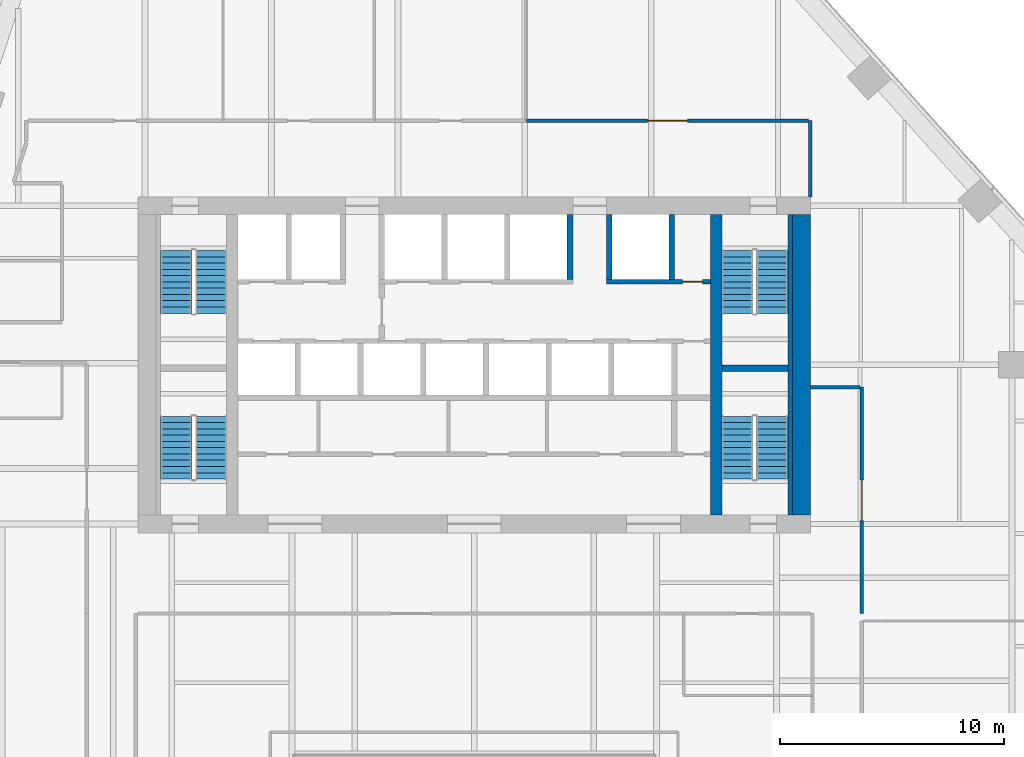
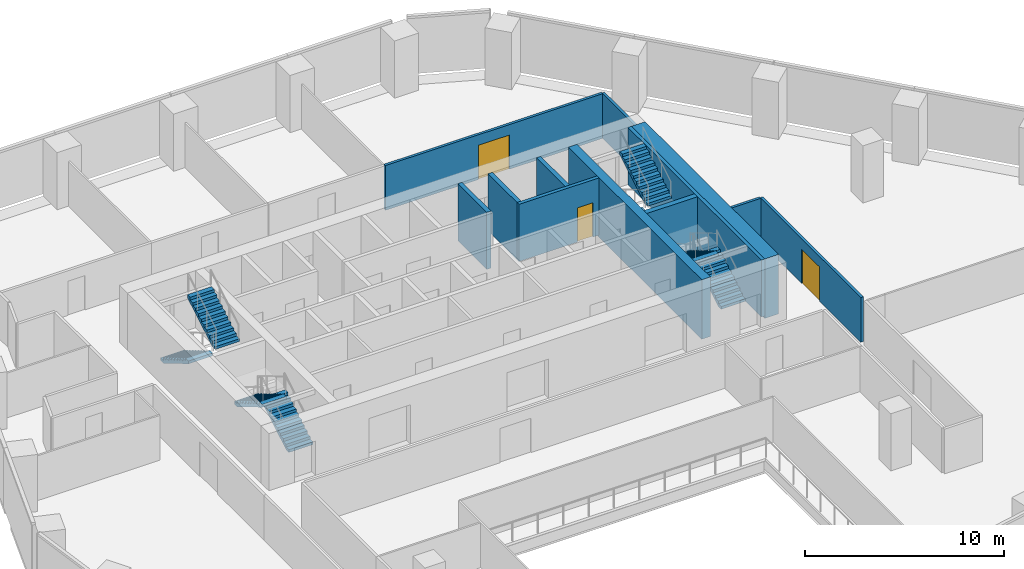
# One storey, part 13 of 16: 12 walls, 8 stair flights, 3 doors, 3 openings, 4 elements without a shape of their own.
"""IFC4 building model written with IfcOpenShell, lengths in metres."""

from ifc_helpers import new_model, si_unit, direction, frame, frame_2d, origin, place, context, subcontext, project, spatial, polyline, rectangle, outline, extrude, material, layer, layer_set, type_object, element, fill, aggregate, save


model = new_model("IFC4")

# Units and contexts
model_context = context("Model", 3, precision=1e-05, world=origin(), true_north=direction((0.0, 1.0)))
body_context = subcontext(model_context, "Body", "Model", "MODEL_VIEW")
ifc_project = project(units=[si_unit("LENGTHUNIT", "METRE"), si_unit("AREAUNIT", "SQUARE_METRE"), si_unit("VOLUMEUNIT", "CUBIC_METRE"), si_unit("PLANEANGLEUNIT", "RADIAN"), si_unit("MASSUNIT", "GRAM", prefix="KILO")], contexts=[model_context])

# Site, building, storey
site_placement = place(None, origin())
site = spatial("IfcSite", under=ifc_project, at=site_placement, CompositionType="ELEMENT")
building_placement = place(site_placement, origin())
building = spatial("IfcBuilding", under=site, at=building_placement, Name="Isthmus Gate Tower", CompositionType="ELEMENT")
storey_placement = place(building_placement, frame((0.0, 0.0, 155.35009765625)))
storey = spatial("IfcBuildingStorey", under=building, at=storey_placement, Name="L38", CompositionType="ELEMENT", Elevation=155.35009765625)

# Wall
ifc_material_1 = material(Name="Gypsum board on steel studs, fire-rated", Category="steel")
ifc_layer_1 = layer(ifc_material_1, 0.14990234375)
ifc_layer_set_1 = layer_set([ifc_layer_1], Name="CORRIDOR WALL 150 60 MIN")
wall_type_1 = type_object("IfcWallType", Name="CORRIDOR WALL 150 60 MIN", PredefinedType="PARTITIONING", material=ifc_layer_set_1)
wall_1_placement = place(storey_placement, frame((15.0, 18.39990234375, 0.0), z_axis=(0.0, 0.0, 1.0), x_axis=(0.0, -1.0, 0.0)))
element("IfcWall", 1, at=wall_1_placement, inside=storey, type_object=wall_type_1, Name="L38 Corridor Wall 150 60 Min", PredefinedType="PARTITIONING", context=body_context, shape_type="SweptSolid", body=[
    extrude(rectangle(XDim=3.39990234375, YDim=0.14990234375, at=frame_2d((1.699951171875, 0.0))), origin(), (0.0, 0.0, 1.0), 2.7412109375),
])

# Wall, opening, door
wall_2_placement = place(storey_placement, frame((17.298095703125, 6.5, 0.0), z_axis=(0.0, 0.0, 1.0), x_axis=(0.0, -1.0, 0.0)))
wall_2 = element("IfcWall", 2, at=wall_2_placement, inside=storey, type_object=wall_type_1, Name="L38 Corridor Wall 150 60 Min", PredefinedType="PARTITIONING", context=body_context, shape_type="SweptSolid", body=[
    extrude(rectangle(XDim=10.10205078125, YDim=0.14990234375, at=frame_2d((5.051025390625, 0.0))), origin(), (0.0, 0.0, 1.0), 2.7412109375),
])
opening_1_placement = place(wall_2_placement, frame((4.15087890625, 0.0, 0.0)))
opening_1 = element("IfcOpeningElement", 3, at=opening_1_placement, cuts=wall_2, Name="Opening DT-T3C-05", PredefinedType="OPENING", context=body_context, shape_type="SweptSolid", body=[
    extrude(rectangle(XDim=1.800048828125, YDim=2.10009765625, at=frame_2d((0.89990234375, 1.050048828125))), frame((0.0, 0.0849609375, 0.0), z_axis=(0.0, -1.0, 0.0), x_axis=(1.0, 0.0, 0.0)), (0.0, 0.0, 1.0), 0.169921875),
])
ifc_material_2 = material(Name="Solid core timber door leaf, fire-rated", Category="wood")
door_type_1 = type_object("IfcDoorType", Name="FIRE DOOR ROOM 1800 X 2100 60 MIN", OperationType="DOUBLE_DOOR_DOUBLE_SWING", PredefinedType="DOOR", material=ifc_material_2)
door_1_placement = place(opening_1_placement, origin())
door_1 = element("IfcDoor", 4, at=door_1_placement, inside=storey, type_object=door_type_1, Name="L38 room door", OperationType="DOUBLE_DOOR_DOUBLE_SWING", OverallHeight=2.10009765625, OverallWidth=1.800048828125, PredefinedType="DOOR", context=body_context, shape_type="SweptSolid", body=[
    extrude(rectangle(XDim=1.800048828125, YDim=2.10009765625, at=frame_2d((0.89990234375, 1.050048828125))), frame((0.0, 0.02490234375, 0.0), z_axis=(0.0, -1.0, 0.0), x_axis=(1.0, 0.0, 0.0)), (0.0, 0.0, 1.0), 0.050048828125),
])
fill(opening_1, door_1)

wall_3_placement = place(storey_placement, frame((2.337890625, 18.39990234375, 0.0), z_axis=(0.0, 0.0, 1.0), x_axis=(1.0, 0.0, 0.0)))
wall_3 = element("IfcWall", 5, at=wall_3_placement, inside=storey, type_object=wall_type_1, Name="L38 Corridor Wall 150 60 Min", PredefinedType="PARTITIONING", context=body_context, shape_type="SweptSolid", body=[
    extrude(rectangle(XDim=12.587158203125, YDim=0.14990234375, at=frame_2d((6.29345703125, 0.0))), origin(), (0.0, 0.0, 1.0), 2.7412109375),
])
opening_2_placement = place(wall_3_placement, frame((5.3935546875, 0.0, 0.0)))
opening_2 = element("IfcOpeningElement", 6, at=opening_2_placement, cuts=wall_3, Name="Opening DT-T3C-04", PredefinedType="OPENING", context=body_context, shape_type="SweptSolid", body=[
    extrude(rectangle(XDim=1.800048828125, YDim=2.10009765625, at=frame_2d((0.89990234375, 1.050048828125))), frame((0.0, 0.0849609375, 0.0), z_axis=(0.0, -1.0, 0.0), x_axis=(1.0, 0.0, 0.0)), (0.0, 0.0, 1.0), 0.169921875),
])
door_2_placement = place(opening_2_placement, origin())
door_2 = element("IfcDoor", 7, at=door_2_placement, inside=storey, type_object=door_type_1, Name="L38 room door", OperationType="DOUBLE_DOOR_DOUBLE_SWING", OverallHeight=2.10009765625, OverallWidth=1.800048828125, PredefinedType="DOOR", context=body_context, shape_type="SweptSolid", body=[
    extrude(rectangle(XDim=1.800048828125, YDim=2.10009765625, at=frame_2d((0.89990234375, 1.050048828125))), frame((0.0, 0.02490234375, 0.0), z_axis=(0.0, -1.0, 0.0), x_axis=(1.0, 0.0, 0.0)), (0.0, 0.0, 1.0), 0.050048828125),
])
fill(opening_2, door_2)

# Walls
wall_4_placement = place(storey_placement, frame((15.0, 6.5, 0.0), z_axis=(0.0, 0.0, 1.0), x_axis=(1.0, 0.0, 0.0)))
element("IfcWall", 8, at=wall_4_placement, inside=storey, type_object=wall_type_1, Name="L38 Corridor Wall 150 60 Min", PredefinedType="PARTITIONING", context=body_context, shape_type="SweptSolid", body=[
    extrude(rectangle(XDim=2.222900390625, YDim=0.14990234375, at=frame_2d((1.111328125, 0.0))), origin(), (0.0, 0.0, 1.0), 2.7412109375),
])
ifc_material_3 = material(Name="Concrete f'c 60 MPa", Category="concrete")
ifc_layer_2 = layer(ifc_material_3, 0.5)
ifc_layer_set_2 = layer_set([ifc_layer_2], Name="RC CORE SPINE WALL 500 F'C 60")
wall_type_2 = type_object("IfcWallType", Name="RC CORE SPINE WALL 500 F'C 60", PredefinedType="SOLIDWALL", material=ifc_layer_set_2)
wall_5_placement = place(storey_placement, frame((10.800048828125, 0.800048828125, -0.150146484375), z_axis=(0.0, 0.0, 1.0), x_axis=(0.0, 1.0, 0.0)))
element("IfcWall", 9, at=wall_5_placement, inside=storey, type_object=wall_type_2, Name="str-corewall-L38-SPE", PredefinedType="SOLIDWALL", context=body_context, shape_type="SweptSolid", body=[
    extrude(rectangle(XDim=13.39990234375, YDim=0.5, at=frame_2d((6.699951171875, 0.0))), origin(), (0.0, 0.0, 1.0), 3.650146484375),
])
ifc_material_4 = material(Name="Concrete f'c 60 MPa", Category="concrete")
ifc_layer_3 = layer(ifc_material_4, 0.800048828125)
ifc_layer_set_3 = layer_set([ifc_layer_3], Name="RC CORE WALL 800 F'C 60")
wall_type_3 = type_object("IfcWallType", Name="RC CORE WALL 800 F'C 60", PredefinedType="SOLIDWALL", material=ifc_layer_set_3)
wall_6_placement = place(storey_placement, frame((14.60009765625, 0.800048828125, -0.150146484375), z_axis=(0.0, 0.0, 1.0), x_axis=(0.0, 1.0, 0.0)))
element("IfcWall", 10, at=wall_6_placement, inside=storey, type_object=wall_type_3, Name="str-corewall-L38-E", PredefinedType="SOLIDWALL", context=body_context, shape_type="SweptSolid", body=[
    extrude(rectangle(XDim=13.39990234375, YDim=0.800048828125, at=frame_2d((6.699951171875, 0.0))), origin(), (0.0, 0.0, 1.0), 3.650146484375),
])

# Wall, opening, door
ifc_material_5 = material(Name="Fire-rated blockwork masonry, 15 MPa", Category="masonry")
ifc_layer_4 = layer(ifc_material_5, 0.199951171875)
ifc_layer_set_4 = layer_set([ifc_layer_4], Name="SHAFT FRONT WALL 200 120 MIN")
wall_type_4 = type_object("IfcWallType", Name="SHAFT FRONT WALL 200 120 MIN", PredefinedType="PARTITIONING", material=ifc_layer_set_4)
wall_7_placement = place(storey_placement, frame((5.89990234375, 11.199951171875, 0.0), z_axis=(0.0, 0.0, 1.0), x_axis=(1.0, 0.0, 0.0)))
wall_7 = element("IfcWall", 11, at=wall_7_placement, inside=storey, type_object=wall_type_4, Name="L38 SHAFT FRONT WALL 200 120 MIN", PredefinedType="PARTITIONING", context=body_context, shape_type="SweptSolid", body=[
    extrude(rectangle(XDim=4.650146484375, YDim=0.199951171875, at=frame_2d((2.3251953125, 0.0))), origin(), (0.0, 0.0, 1.0), 3.5),
])
opening_3_placement = place(wall_7_placement, frame((3.39990234375, 0.0, 0.0)))
opening_3 = element("IfcOpeningElement", 12, at=opening_3_placement, cuts=wall_7, Name="Opening DC-A13-08", PredefinedType="OPENING", context=body_context, shape_type="SweptSolid", body=[
    extrude(rectangle(XDim=0.89990234375, YDim=2.10009765625, at=frame_2d((0.449951171875, 1.050048828125))), frame((0.0, 0.10986328125, 0.0), z_axis=(0.0, -1.0, 0.0), x_axis=(1.0, 0.0, 0.0)), (0.0, 0.0, 1.0), 0.219970703125),
])
ifc_material_6 = material(Name="Steel door leaf, fire-rated", Category="steel")
door_type_2 = type_object("IfcDoorType", Name="RISER FIRE DOOR 900 X 2100 90 MIN", OperationType="SINGLE_SWING_LEFT", PredefinedType="DOOR", material=ifc_material_6)
door_3_placement = place(opening_3_placement, origin())
door_3 = element("IfcDoor", 13, at=door_3_placement, inside=storey, type_object=door_type_2, Name="Riser Door", OperationType="SINGLE_SWING_LEFT", OverallHeight=2.10009765625, OverallWidth=0.89990234375, PredefinedType="DOOR", context=body_context, shape_type="SweptSolid", body=[
    extrude(rectangle(XDim=0.89990234375, YDim=2.10009765625, at=frame_2d((0.449951171875, 1.050048828125))), frame((0.0, 0.02490234375, 0.0), z_axis=(0.0, -1.0, 0.0), x_axis=(1.0, 0.0, 0.0)), (0.0, 0.0, 1.0), 0.050048828125),
])
fill(opening_3, door_3)

# Walls
ifc_material_7 = material(Name="Fire-rated blockwork masonry, 15 MPa", Category="masonry")
ifc_layer_5 = layer(ifc_material_7, 0.25)
ifc_layer_set_5 = layer_set([ifc_layer_5], Name="SHAFT WALL 250 120 MIN")
wall_type_5 = type_object("IfcWallType", Name="SHAFT WALL 250 120 MIN", PredefinedType="PARTITIONING", material=ifc_layer_set_5)
for number, where, z_axis, x_axis, name in (
    (14, (4.27490234375, 11.300048828125, 0.0), (0.0, 0.0, 1.0), (0.0, 1.0, 0.0), "L38 SHAFT WALL 250 120 MIN"),
    (15, (6.02490234375, 11.300048828125, 0.0), (0.0, 0.0, 1.0), (0.0, 1.0, 0.0), "L38 SHAFT WALL 250 120 MIN"),
    (16, (8.824951171875, 11.300048828125, 0.0), (0.0, 0.0, 1.0), (0.0, 1.0, 0.0), "L38 SHAFT WALL 250 120 MIN"),
):
    element("IfcWall", number, at=place(storey_placement, frame(where, z_axis=z_axis, x_axis=x_axis)), inside=storey, type_object=wall_type_5, Name=name, PredefinedType="PARTITIONING", context=body_context, shape_type="SweptSolid", body=[
        extrude(rectangle(XDim=2.89990234375, YDim=0.25, at=frame_2d((1.449951171875, 0.0))), origin(), (0.0, 0.0, 1.0), 3.5),
    ])
ifc_material_8 = material(Name="Concrete f'c 40 MPa", Category="concrete")
ifc_layer_6 = layer(ifc_material_8, 0.199951171875)
ifc_layer_set_6 = layer_set([ifc_layer_6], Name="STAIR ENCLOSURE WALL 200 180 MIN")
wall_type_6 = type_object("IfcWallType", Name="STAIR ENCLOSURE WALL 200 180 MIN", PredefinedType="SOLIDWALL", material=ifc_layer_set_6)
wall_8_placement = place(storey_placement, frame((14.10009765625, 0.800048828125, 0.0), z_axis=(0.0, 0.0, 1.0), x_axis=(0.0, 1.0, 0.0)))
element("IfcWall", 17, at=wall_8_placement, inside=storey, type_object=wall_type_6, Name="L38 STAIR ENCLOSURE WALL 200 180 MIN", PredefinedType="SOLIDWALL", context=body_context, shape_type="SweptSolid", body=[
    extrude(rectangle(XDim=13.39990234375, YDim=0.199951171875, at=frame_2d((6.699951171875, 0.0))), origin(), (0.0, 0.0, 1.0), 3.5),
])
ifc_material_9 = material(Name="Concrete f'c 40 MPa", Category="concrete")
ifc_layer_7 = layer(ifc_material_9, 0.300048828125)
ifc_layer_set_7 = layer_set([ifc_layer_7], Name="STAIR ENCLOSURE WALL 300 180 MIN")
wall_type_7 = type_object("IfcWallType", Name="STAIR ENCLOSURE WALL 300 180 MIN", PredefinedType="SOLIDWALL", material=ifc_layer_set_7)
wall_9_placement = place(storey_placement, frame((11.050048828125, 7.35009765625, 0.0), z_axis=(0.0, 0.0, 1.0), x_axis=(1.0, 0.0, 0.0)))
element("IfcWall", 18, at=wall_9_placement, inside=storey, type_object=wall_type_7, Name="L38 STAIR ENCLOSURE WALL 300 180 MIN", PredefinedType="SOLIDWALL", context=body_context, shape_type="SweptSolid", body=[
    extrude(rectangle(XDim=2.949951171875, YDim=0.300048828125, at=frame_2d((1.47509765625, 0.0))), origin(), (0.0, 0.0, 1.0), 3.5),
])

# Stair, stair flights
ifc_material_10 = material(Name="Concrete f'c 40 MPa", Category="concrete")
stair_type = type_object("IfcStairType", Name="CORE STAIR 22 RISERS", PredefinedType="HALF_TURN_STAIR", material=ifc_material_10)
stair_1_placement = place(storey_placement, origin())
stair_1 = element("IfcStair", 19, at=stair_1_placement, inside=storey, type_object=stair_type, Name="L38 Exit Stair 1", PredefinedType="HALF_TURN_STAIR")
ifc_material_11 = material(Name="Concrete f'c 40 MPa", Category="concrete")
stair_flight_type = type_object("IfcStairFlightType", Name="STAIR FLIGHT RC 1400", PredefinedType="STRAIGHT", material=ifc_material_11)
stair_flight_1_placement = place(storey_placement, frame((-13.300048828125, 12.60009765625, 0.0), z_axis=(0.0, 0.0, 1.0), x_axis=(0.0, -1.0, 0.0)))
stair_flight_1 = element("IfcStairFlight", 20, at=stair_flight_1_placement, type_object=stair_flight_type, Name="ST1 flight 1", NumberOfRisers=11, NumberOfTreads=10, PredefinedType="STRAIGHT", RiserHeight=0.165909091, TreadLength=0.28, context=body_context, shape_type="SweptSolid", body=[
    extrude(outline(polyline([(0.0, 0.0), (0.0, 0.166015625), (0.280029296875, 0.166015625), (0.280029296875, 0.331787109375), (0.56005859375, 0.331787109375), (0.56005859375, 0.497802734375), (0.840087890625, 0.497802734375), (0.840087890625, 0.66357421875), (1.1201171875, 0.66357421875), (1.1201171875, 0.82958984375), (1.39990234375, 0.82958984375), (1.39990234375, 0.995361328125), (1.679931640625, 0.995361328125), (1.679931640625, 1.161376953125), (1.9599609375, 1.161376953125), (1.9599609375, 1.327392578125), (2.239990234375, 1.327392578125), (2.239990234375, 1.4931640625), (2.52001953125, 1.4931640625), (2.52001953125, 1.6591796875), (2.800048828125, 1.6591796875), (2.800048828125, 1.824951171875), (2.800048828125, 1.48486328125), (0.2939453125, 0.0), (0.0, 0.0)])), frame((0.0, 0.699951171875, 0.0), z_axis=(0.0, -1.0, 0.0), x_axis=(1.0, 0.0, 0.0)), (0.0, 0.0, 1.0), 1.39990234375),
])
stair_flight_2_placement = place(storey_placement, frame((-11.75, 9.800048828125, 1.824951171875), z_axis=(0.0, 0.0, 1.0), x_axis=(0.0, 1.0, 0.0)))
stair_flight_2 = element("IfcStairFlight", 21, at=stair_flight_2_placement, type_object=stair_flight_type, Name="ST1 flight 2", NumberOfRisers=11, NumberOfTreads=10, PredefinedType="STRAIGHT", RiserHeight=0.165909091, TreadLength=0.28, context=body_context, shape_type="SweptSolid", body=[
    extrude(outline(polyline([(0.0, 0.0), (0.0, 0.166015625), (0.280029296875, 0.166015625), (0.280029296875, 0.331787109375), (0.56005859375, 0.331787109375), (0.56005859375, 0.497802734375), (0.840087890625, 0.497802734375), (0.840087890625, 0.66357421875), (1.1201171875, 0.66357421875), (1.1201171875, 0.82958984375), (1.39990234375, 0.82958984375), (1.39990234375, 0.995361328125), (1.679931640625, 0.995361328125), (1.679931640625, 1.161376953125), (1.9599609375, 1.161376953125), (1.9599609375, 1.327392578125), (2.239990234375, 1.327392578125), (2.239990234375, 1.4931640625), (2.52001953125, 1.4931640625), (2.52001953125, 1.6591796875), (2.800048828125, 1.6591796875), (2.800048828125, 1.824951171875), (2.800048828125, 1.48486328125), (0.2939453125, 0.0), (0.0, 0.0)])), frame((0.0, 0.699951171875, 0.0), z_axis=(0.0, -1.0, 0.0), x_axis=(1.0, 0.0, 0.0)), (0.0, 0.0, 1.0), 1.39990234375),
])
aggregate(stair_1, [stair_flight_1, stair_flight_2])

stair_2_placement = place(storey_placement, origin())
stair_2 = element("IfcStair", 22, at=stair_2_placement, inside=storey, type_object=stair_type, Name="L38 Exit Stair 2", PredefinedType="HALF_TURN_STAIR")
stair_flight_3_placement = place(storey_placement, frame((11.75, 12.60009765625, 0.0), z_axis=(0.0, 0.0, 1.0), x_axis=(0.0, -1.0, 0.0)))
stair_flight_3 = element("IfcStairFlight", 23, at=stair_flight_3_placement, type_object=stair_flight_type, Name="ST2 flight 1", NumberOfRisers=11, NumberOfTreads=10, PredefinedType="STRAIGHT", RiserHeight=0.165909091, TreadLength=0.28, context=body_context, shape_type="SweptSolid", body=[
    extrude(outline(polyline([(0.0, 0.0), (0.0, 0.166015625), (0.280029296875, 0.166015625), (0.280029296875, 0.331787109375), (0.56005859375, 0.331787109375), (0.56005859375, 0.497802734375), (0.840087890625, 0.497802734375), (0.840087890625, 0.66357421875), (1.1201171875, 0.66357421875), (1.1201171875, 0.82958984375), (1.39990234375, 0.82958984375), (1.39990234375, 0.995361328125), (1.679931640625, 0.995361328125), (1.679931640625, 1.161376953125), (1.9599609375, 1.161376953125), (1.9599609375, 1.327392578125), (2.239990234375, 1.327392578125), (2.239990234375, 1.4931640625), (2.52001953125, 1.4931640625), (2.52001953125, 1.6591796875), (2.800048828125, 1.6591796875), (2.800048828125, 1.824951171875), (2.800048828125, 1.48486328125), (0.2939453125, 0.0), (0.0, 0.0)])), frame((0.0, 0.699951171875, 0.0), z_axis=(0.0, -1.0, 0.0), x_axis=(1.0, 0.0, 0.0)), (0.0, 0.0, 1.0), 1.39990234375),
])
stair_flight_4_placement = place(storey_placement, frame((13.300048828125, 9.800048828125, 1.824951171875), z_axis=(0.0, 0.0, 1.0), x_axis=(0.0, 1.0, 0.0)))
stair_flight_4 = element("IfcStairFlight", 24, at=stair_flight_4_placement, type_object=stair_flight_type, Name="ST2 flight 2", NumberOfRisers=11, NumberOfTreads=10, PredefinedType="STRAIGHT", RiserHeight=0.165909091, TreadLength=0.28, context=body_context, shape_type="SweptSolid", body=[
    extrude(outline(polyline([(0.0, 0.0), (0.0, 0.166015625), (0.280029296875, 0.166015625), (0.280029296875, 0.331787109375), (0.56005859375, 0.331787109375), (0.56005859375, 0.497802734375), (0.840087890625, 0.497802734375), (0.840087890625, 0.66357421875), (1.1201171875, 0.66357421875), (1.1201171875, 0.82958984375), (1.39990234375, 0.82958984375), (1.39990234375, 0.995361328125), (1.679931640625, 0.995361328125), (1.679931640625, 1.161376953125), (1.9599609375, 1.161376953125), (1.9599609375, 1.327392578125), (2.239990234375, 1.327392578125), (2.239990234375, 1.4931640625), (2.52001953125, 1.4931640625), (2.52001953125, 1.6591796875), (2.800048828125, 1.6591796875), (2.800048828125, 1.824951171875), (2.800048828125, 1.48486328125), (0.2939453125, 0.0), (0.0, 0.0)])), frame((0.0, 0.699951171875, 0.0), z_axis=(0.0, -1.0, 0.0), x_axis=(1.0, 0.0, 0.0)), (0.0, 0.0, 1.0), 1.39990234375),
])
aggregate(stair_2, [stair_flight_3, stair_flight_4])

stair_3_placement = place(storey_placement, origin())
stair_3 = element("IfcStair", 25, at=stair_3_placement, inside=storey, type_object=stair_type, Name="L38 Exit Stair 7", PredefinedType="HALF_TURN_STAIR")
stair_flight_5_placement = place(storey_placement, frame((-11.75, 2.39990234375, 0.0), z_axis=(0.0, 0.0, 1.0), x_axis=(0.0, 1.0, 0.0)))
stair_flight_5 = element("IfcStairFlight", 26, at=stair_flight_5_placement, type_object=stair_flight_type, Name="ST7 flight 1", NumberOfRisers=11, NumberOfTreads=10, PredefinedType="STRAIGHT", RiserHeight=0.165909091, TreadLength=0.28, context=body_context, shape_type="SweptSolid", body=[
    extrude(outline(polyline([(0.0, 0.0), (0.0, 0.166015625), (0.280029296875, 0.166015625), (0.280029296875, 0.331787109375), (0.56005859375, 0.331787109375), (0.56005859375, 0.497802734375), (0.840087890625, 0.497802734375), (0.840087890625, 0.66357421875), (1.1201171875, 0.66357421875), (1.1201171875, 0.82958984375), (1.39990234375, 0.82958984375), (1.39990234375, 0.995361328125), (1.679931640625, 0.995361328125), (1.679931640625, 1.161376953125), (1.9599609375, 1.161376953125), (1.9599609375, 1.327392578125), (2.239990234375, 1.327392578125), (2.239990234375, 1.4931640625), (2.52001953125, 1.4931640625), (2.52001953125, 1.6591796875), (2.800048828125, 1.6591796875), (2.800048828125, 1.824951171875), (2.800048828125, 1.48486328125), (0.2939453125, 0.0), (0.0, 0.0)])), frame((0.0, 0.699951171875, 0.0), z_axis=(0.0, -1.0, 0.0), x_axis=(1.0, 0.0, 0.0)), (0.0, 0.0, 1.0), 1.39990234375),
])
stair_flight_6_placement = place(storey_placement, frame((-13.300048828125, 5.199951171875, 1.824951171875), z_axis=(0.0, 0.0, 1.0), x_axis=(0.0, -1.0, 0.0)))
stair_flight_6 = element("IfcStairFlight", 27, at=stair_flight_6_placement, type_object=stair_flight_type, Name="ST7 flight 2", NumberOfRisers=11, NumberOfTreads=10, PredefinedType="STRAIGHT", RiserHeight=0.165909091, TreadLength=0.28, context=body_context, shape_type="SweptSolid", body=[
    extrude(outline(polyline([(0.0, 0.0), (0.0, 0.166015625), (0.280029296875, 0.166015625), (0.280029296875, 0.331787109375), (0.56005859375, 0.331787109375), (0.56005859375, 0.497802734375), (0.840087890625, 0.497802734375), (0.840087890625, 0.66357421875), (1.1201171875, 0.66357421875), (1.1201171875, 0.82958984375), (1.39990234375, 0.82958984375), (1.39990234375, 0.995361328125), (1.679931640625, 0.995361328125), (1.679931640625, 1.161376953125), (1.9599609375, 1.161376953125), (1.9599609375, 1.327392578125), (2.239990234375, 1.327392578125), (2.239990234375, 1.4931640625), (2.52001953125, 1.4931640625), (2.52001953125, 1.6591796875), (2.800048828125, 1.6591796875), (2.800048828125, 1.824951171875), (2.800048828125, 1.48486328125), (0.2939453125, 0.0), (0.0, 0.0)])), frame((0.0, 0.699951171875, 0.0), z_axis=(0.0, -1.0, 0.0), x_axis=(1.0, 0.0, 0.0)), (0.0, 0.0, 1.0), 1.39990234375),
])
aggregate(stair_3, [stair_flight_5, stair_flight_6])

stair_4_placement = place(storey_placement, origin())
stair_4 = element("IfcStair", 28, at=stair_4_placement, inside=storey, type_object=stair_type, Name="L38 Exit Stair 8", PredefinedType="HALF_TURN_STAIR")
stair_flight_7_placement = place(storey_placement, frame((13.300048828125, 2.39990234375, 0.0), z_axis=(0.0, 0.0, 1.0), x_axis=(0.0, 1.0, 0.0)))
stair_flight_7 = element("IfcStairFlight", 29, at=stair_flight_7_placement, type_object=stair_flight_type, Name="ST8 flight 1", NumberOfRisers=11, NumberOfTreads=10, PredefinedType="STRAIGHT", RiserHeight=0.165909091, TreadLength=0.28, context=body_context, shape_type="SweptSolid", body=[
    extrude(outline(polyline([(0.0, 0.0), (0.0, 0.166015625), (0.280029296875, 0.166015625), (0.280029296875, 0.331787109375), (0.56005859375, 0.331787109375), (0.56005859375, 0.497802734375), (0.840087890625, 0.497802734375), (0.840087890625, 0.66357421875), (1.1201171875, 0.66357421875), (1.1201171875, 0.82958984375), (1.39990234375, 0.82958984375), (1.39990234375, 0.995361328125), (1.679931640625, 0.995361328125), (1.679931640625, 1.161376953125), (1.9599609375, 1.161376953125), (1.9599609375, 1.327392578125), (2.239990234375, 1.327392578125), (2.239990234375, 1.4931640625), (2.52001953125, 1.4931640625), (2.52001953125, 1.6591796875), (2.800048828125, 1.6591796875), (2.800048828125, 1.824951171875), (2.800048828125, 1.48486328125), (0.2939453125, 0.0), (0.0, 0.0)])), frame((0.0, 0.699951171875, 0.0), z_axis=(0.0, -1.0, 0.0), x_axis=(1.0, 0.0, 0.0)), (0.0, 0.0, 1.0), 1.39990234375),
])
stair_flight_8_placement = place(storey_placement, frame((11.75, 5.199951171875, 1.824951171875), z_axis=(0.0, 0.0, 1.0), x_axis=(0.0, -1.0, 0.0)))
stair_flight_8 = element("IfcStairFlight", 30, at=stair_flight_8_placement, type_object=stair_flight_type, Name="ST8 flight 2", NumberOfRisers=11, NumberOfTreads=10, PredefinedType="STRAIGHT", RiserHeight=0.165909091, TreadLength=0.28, context=body_context, shape_type="SweptSolid", body=[
    extrude(outline(polyline([(0.0, 0.0), (0.0, 0.166015625), (0.280029296875, 0.166015625), (0.280029296875, 0.331787109375), (0.56005859375, 0.331787109375), (0.56005859375, 0.497802734375), (0.840087890625, 0.497802734375), (0.840087890625, 0.66357421875), (1.1201171875, 0.66357421875), (1.1201171875, 0.82958984375), (1.39990234375, 0.82958984375), (1.39990234375, 0.995361328125), (1.679931640625, 0.995361328125), (1.679931640625, 1.161376953125), (1.9599609375, 1.161376953125), (1.9599609375, 1.327392578125), (2.239990234375, 1.327392578125), (2.239990234375, 1.4931640625), (2.52001953125, 1.4931640625), (2.52001953125, 1.6591796875), (2.800048828125, 1.6591796875), (2.800048828125, 1.824951171875), (2.800048828125, 1.48486328125), (0.2939453125, 0.0), (0.0, 0.0)])), frame((0.0, 0.699951171875, 0.0), z_axis=(0.0, -1.0, 0.0), x_axis=(1.0, 0.0, 0.0)), (0.0, 0.0, 1.0), 1.39990234375),
])
aggregate(stair_4, [stair_flight_7, stair_flight_8])

save(model, "model.ifc")
